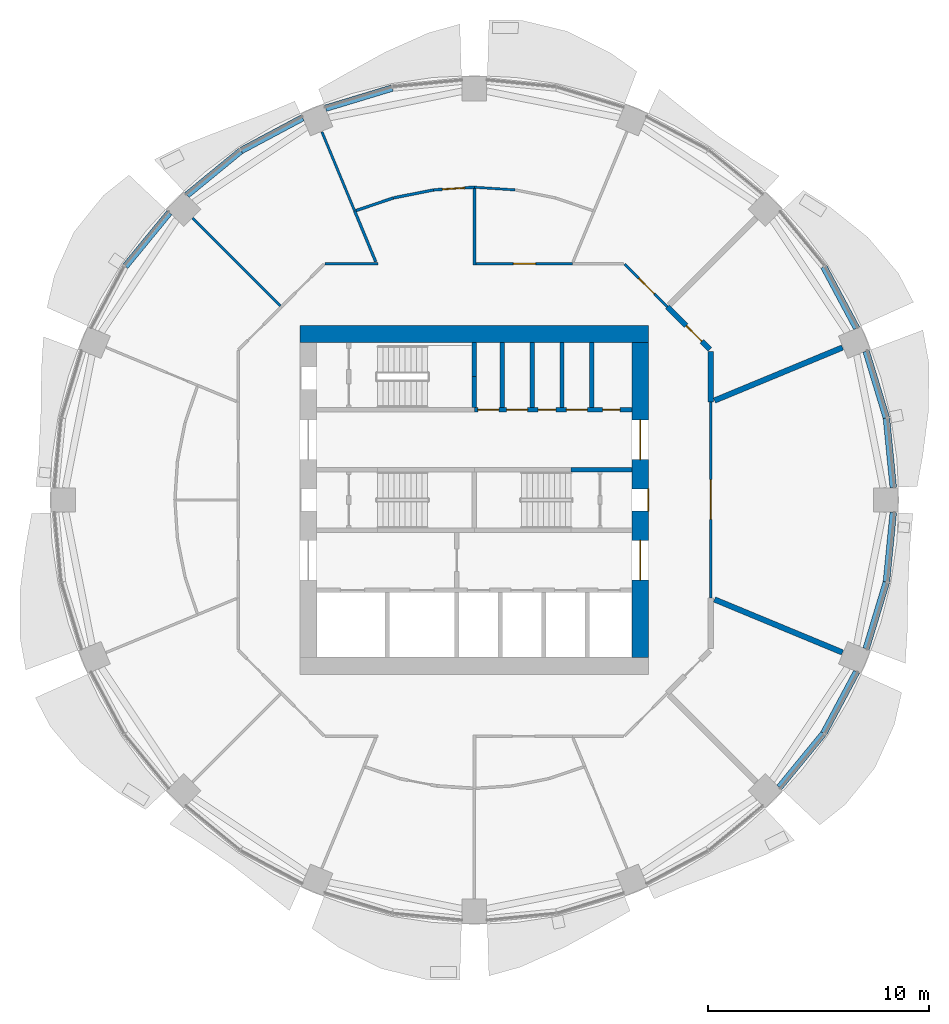
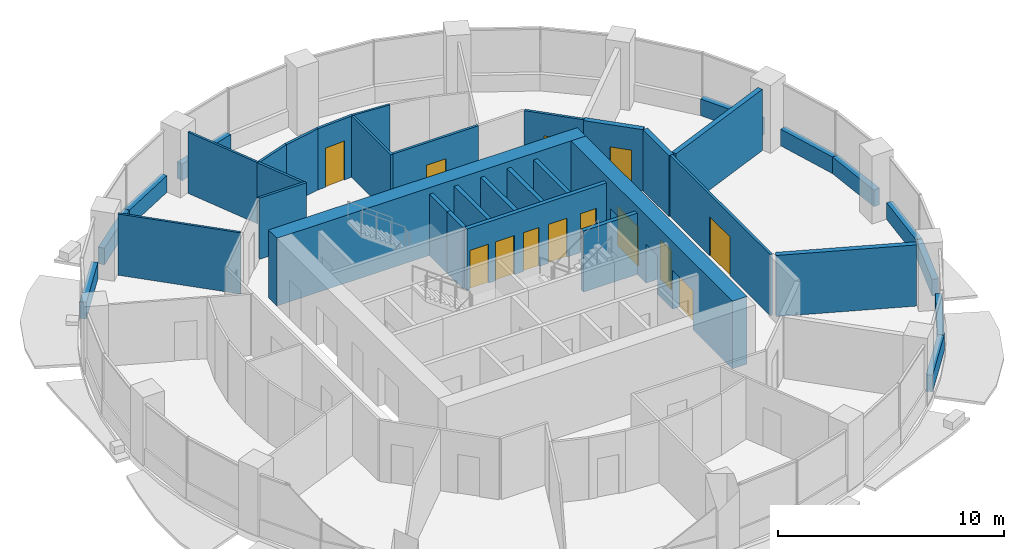
# One storey, part 9 of 14: 37 walls, 13 doors, 13 openings.
"""IFC4 building model written with IfcOpenShell, lengths in metres."""

import ifcopenshell
import ifcopenshell.guid

model = None  # the IFC model being written
_history = None  # IfcOwnerHistory: only IFC2X3 demands one
_inside = {}  # id of a spatial element -> (the spatial element, [elements in it])
_under = {}  # id of a project, library or spatial element -> (it, [spatial elements below it])
_declared = {}  # id of a project -> (the project, [libraries it declares])
_typed = {}  # id of a type object -> (the type object, [elements of that type])
_made_of = {}  # id of a material, layer set ... -> (it, [elements and type objects made of it])


def new_model(schema):
    """Start an empty IFC model of exactly this schema.

    Asked for "IFC4X3", IfcOpenShell would pick the latest addendum, in which some entities
    have other attributes; the version numbers below select the first issue.
    IFC2X3 requires an IfcOwnerHistory on every rooted entity: one is made here for all.
    """
    global model, _history
    if schema == "IFC4X3":
        model = ifcopenshell.file(schema_version=(4, 3, 0, 0))
    else:
        model = ifcopenshell.file(schema=schema)
    _inside.clear()
    _under.clear()
    _declared.clear()
    _typed.clear()
    _made_of.clear()
    _history = None
    if model.schema == "IFC2X3":
        org = make("IfcOrganization", Name="unknown")
        user = make(
            "IfcPersonAndOrganization",
            ThePerson=make("IfcPerson", FamilyName="unknown"),
            TheOrganization=org,
        )
        app = make(
            "IfcApplication",
            ApplicationDeveloper=org,
            Version="unknown",
            ApplicationFullName="unknown",
            ApplicationIdentifier="unknown",
        )
        _history = make(
            "IfcOwnerHistory",
            OwningUser=user,
            OwningApplication=app,
            ChangeAction="ADDED",
            CreationDate=0,
        )
    return model


def make(cls, **values):
    """One entity of the class cls with the attributes given. An attribute that is None is left unset."""
    return model.create_entity(
        cls, **{name: value for name, value in values.items() if value is not None}
    )


def rooted(cls, **values):
    """An entity with a GlobalId (a new one), such as an element, a storey or a relation."""
    return make(cls, GlobalId=ifcopenshell.guid.new(), OwnerHistory=_history, **values)


def si_unit(unit_type, name, prefix=None):
    """IfcSIUnit, for example si_unit("LENGTHUNIT", "METRE", prefix="MILLI")."""
    return make("IfcSIUnit", UnitType=unit_type, Prefix=prefix, Name=name)


def assignment(units):
    """IfcUnitAssignment: the units of a project."""
    return None if units is None else make("IfcUnitAssignment", Units=units)


def point(xyz):
    """IfcCartesianPoint."""
    return None if xyz is None else make("IfcCartesianPoint", Coordinates=xyz)


def direction(xyz):
    """IfcDirection."""
    return None if xyz is None else make("IfcDirection", DirectionRatios=xyz)


def frame(location, z_axis=None, x_axis=None):
    """IfcAxis2Placement3D, a coordinate frame: its origin and axes. An axis left out is left unset."""
    return make(
        "IfcAxis2Placement3D",
        Location=point(location),
        Axis=direction(z_axis),
        RefDirection=direction(x_axis),
    )


def frame_2d(location, x_axis=None):
    """IfcAxis2Placement2D, a coordinate frame in the plane: its origin and x axis."""
    return make(
        "IfcAxis2Placement2D", Location=point(location), RefDirection=direction(x_axis)
    )


def origin():
    """The frame at (0, 0, 0) with its axes left unset."""
    return frame((0.0, 0.0, 0.0))


def place(relative_to, where):
    """IfcLocalPlacement: puts the frame where relative to a parent placement (None: the world)."""
    return make(
        "IfcLocalPlacement", PlacementRelTo=relative_to, RelativePlacement=where
    )


def context(
    kind, dimensions, precision=None, world=None, true_north=None, identifier=None
):
    """IfcGeometricRepresentationContext, for example the 3D "Model" context."""
    return make(
        "IfcGeometricRepresentationContext",
        ContextIdentifier=identifier,
        ContextType=kind,
        CoordinateSpaceDimension=dimensions,
        Precision=precision,
        WorldCoordinateSystem=world,
        TrueNorth=true_north,
    )


def subcontext(parent, identifier, kind, view, scale=None):
    """IfcGeometricRepresentationSubContext, for example "Body" below "Model"."""
    return make(
        "IfcGeometricRepresentationSubContext",
        ContextIdentifier=identifier,
        ContextType=kind,
        ParentContext=parent,
        TargetScale=scale,
        TargetView=view,
    )


def project(units=None, contexts=None):
    """IfcProject with its units and contexts."""
    return rooted(
        "IfcProject",
        Name="project",
        RepresentationContexts=contexts,
        UnitsInContext=assignment(units),
    )


def spatial(cls, under=None, at=None, **own):
    """A site, building, storey or space (cls), placed at a placement, below another one or the project."""
    s = rooted(cls, ObjectPlacement=at, **own)
    if under is not None:
        _under.setdefault(under.id(), (under, []))[1].append(s)
    return s


def profile(cls, at=None, kind="AREA", **sizes):
    """A parametric profile (cls). Its sizes go by their IFC names, for example OverallWidth=200.0."""
    return make(cls, ProfileType=kind, Position=at, **sizes)


def rectangle(**sizes):
    """IfcRectangleProfileDef."""
    return profile("IfcRectangleProfileDef", **sizes)


def extrude(swept, where, along, depth):
    """IfcExtrudedAreaSolid: the profile swept, set in the frame where, extruded along a direction by depth."""
    return make(
        "IfcExtrudedAreaSolid",
        SweptArea=swept,
        Position=where,
        ExtrudedDirection=direction(along),
        Depth=depth,
    )


def shape(context_of_items, identifier, shape_type, items):
    """IfcShapeRepresentation: the items that make up one representation, for example the "Body"."""
    return make(
        "IfcShapeRepresentation",
        ContextOfItems=context_of_items,
        RepresentationIdentifier=identifier,
        RepresentationType=shape_type,
        Items=items,
    )


def material(Name=None, Category=None):
    """IfcMaterial."""
    return make("IfcMaterial", Name=Name, Category=Category)


def layer(
    of_material, thickness, ventilated=None, Name=None, Category=None, Priority=None
):
    """IfcMaterialLayer: one layer of a wall or slab, of a material (None: an air gap)."""
    return make(
        "IfcMaterialLayer",
        Material=of_material,
        LayerThickness=thickness,
        IsVentilated=ventilated,
        Name=Name,
        Category=Category,
        Priority=Priority,
    )


def layer_set(layers, Name=None):
    """IfcMaterialLayerSet."""
    return make("IfcMaterialLayerSet", MaterialLayers=layers, LayerSetName=Name)


def made_of(thing, what):
    """Note that an element or type object is made of a material, layer set ...; save() writes the relation."""
    if what is not None:
        _made_of.setdefault(what.id(), (what, []))[1].append(thing)
    return thing


def type_object(cls, material=None, **own):
    """A type object (cls), such as IfcWallType, which elements share."""
    return made_of(rooted(cls, **own), material)


def element(
    cls,
    number,
    at=None,
    inside=None,
    cuts=None,
    type_object=None,
    material=None,
    context=None,
    identifier="Body",
    shape_type=None,
    held_by="IfcProductDefinitionShape",
    body=None,
    shapes=None,
    **own,
):
    """One element of the class cls, such as IfcWall. Its Tag is "e" and its number.

    at: its placement. inside: the storey or other place that contains it. cuts: it is an
    opening in that element (IfcRelVoidsElement). A single representation is given by context,
    identifier, shape_type and body (its items); several are given by shapes. held_by: the class
    of the entity that holds the representations. save() writes the other relations.
    """
    e = rooted(cls, Tag="e%d" % number, ObjectPlacement=at, **own)
    if body is not None:
        shapes = [shape(context, identifier, shape_type, body)]
    if shapes is not None:
        e.Representation = make(held_by, Representations=shapes)
    if inside is not None:
        _inside.setdefault(inside.id(), (inside, []))[1].append(e)
    if cuts is not None:
        rooted(
            "IfcRelVoidsElement", RelatingBuildingElement=cuts, RelatedOpeningElement=e
        )
    if type_object is not None:
        _typed.setdefault(type_object.id(), (type_object, []))[1].append(e)
    return made_of(e, material)


def fill(opening, filler):
    """IfcRelFillsElement: the door or window that sits in an opening."""
    return rooted(
        "IfcRelFillsElement",
        RelatingOpeningElement=opening,
        RelatedBuildingElement=filler,
    )


def aggregate(whole, parts):
    """IfcRelAggregates: a whole, such as a stair, and the parts it consists of."""
    return rooted("IfcRelAggregates", RelatingObject=whole, RelatedObjects=parts)


def save(model, path):
    """Write the relations noted so far, then the file.

    IfcRelAggregates (storeys below a building ...), IfcRelContainedInSpatialStructure (elements
    in a storey), IfcRelDefinesByType, IfcRelAssociatesMaterial and IfcRelDeclares: one each for
    every whole, place, type object, material and project.
    """
    for whole, parts in _under.values():
        aggregate(whole, parts)
    for where, things in _inside.values():
        rooted(
            "IfcRelContainedInSpatialStructure",
            RelatedElements=things,
            RelatingStructure=where,
        )
    for kind, things in _typed.values():
        rooted("IfcRelDefinesByType", RelatedObjects=things, RelatingType=kind)
    for what, things in _made_of.values():
        rooted("IfcRelAssociatesMaterial", RelatedObjects=things, RelatingMaterial=what)
    for by, libraries in _declared.values():
        rooted("IfcRelDeclares", RelatingContext=by, RelatedDefinitions=libraries)
    model.write(path)


model = new_model("IFC4")

# Units and contexts
model_context = context("Model", 3, precision=1e-05, world=origin(), true_north=direction((0.0, 1.0)))
body_context = subcontext(model_context, "Body", "Model", "MODEL_VIEW")
ifc_project = project(units=[si_unit("LENGTHUNIT", "METRE"), si_unit("AREAUNIT", "SQUARE_METRE"), si_unit("VOLUMEUNIT", "CUBIC_METRE"), si_unit("PLANEANGLEUNIT", "RADIAN"), si_unit("MASSUNIT", "GRAM", prefix="KILO")], contexts=[model_context])

# Site, building, storey
site_placement = place(None, origin())
site = spatial("IfcSite", under=ifc_project, at=site_placement, CompositionType="ELEMENT")
building_placement = place(site_placement, origin())
building = spatial("IfcBuilding", under=site, at=building_placement, Name="Polderwave Tower", CompositionType="ELEMENT")
storey_placement = place(building_placement, frame((0.0, 0.0, 105.60009765625)))
storey = spatial("IfcBuildingStorey", under=building, at=storey_placement, Name="L27", CompositionType="ELEMENT", Elevation=105.60009765625)

# Wall
ifc_material_1 = material(Name="Concrete C70/85", Category="concrete")
ifc_layer_1 = layer(ifc_material_1, 0.75)
ifc_layer_set_1 = layer_set([ifc_layer_1], Name="CORE WALL 750 C70/85")
wall_type_1 = type_object("IfcWallType", Name="CORE WALL 750 C70/85", PredefinedType="SHEAR", material=ifc_layer_set_1)
wall_1_placement = place(storey_placement, frame((-7.8740234375, 7.4990234375, 0.0), z_axis=(0.0, 0.0, 1.0), x_axis=(1.0, 0.0, 0.0)))
element("IfcWall", 1, at=wall_1_placement, inside=storey, type_object=wall_type_1, Name="ST-CORE-L27-N", PredefinedType="SHEAR", context=body_context, shape_type="SweptSolid", body=[
    extrude(rectangle(XDim=15.748046875, YDim=0.75, at=frame_2d((7.8740234375, 0.0))), origin(), (0.0, 0.0, 1.0), 3.64990234375),
])

# Wall, openings, doors
wall_2_placement = place(storey_placement, frame((7.4990234375, -7.1240234375, 0.0), z_axis=(0.0, 0.0, 1.0), x_axis=(0.0, 1.0, 0.0)))
wall_2 = element("IfcWall", 2, at=wall_2_placement, inside=storey, type_object=wall_type_1, Name="ST-CORE-L27-E", PredefinedType="SHEAR", context=body_context, shape_type="SweptSolid", body=[
    extrude(rectangle(XDim=14.248046875, YDim=0.75, at=frame_2d((7.1240234375, 0.0))), origin(), (0.0, 0.0, 1.0), 3.64990234375),
])
opening_1_placement = place(wall_2_placement, frame((6.6240234375, 0.0, 0.0)))
opening_1 = element("IfcOpeningElement", 3, at=opening_1_placement, cuts=wall_2, Name="Opening L27-D23", PredefinedType="OPENING", context=body_context, shape_type="SweptSolid", body=[
    extrude(rectangle(XDim=1.0, YDim=2.10009765625, at=frame_2d((0.5, 1.050048828125))), frame((0.0, 0.385009765625, 0.0), z_axis=(0.0, -1.0, 0.0), x_axis=(1.0, 0.0, 0.0)), (0.0, 0.0, 1.0), 0.77001953125),
])
opening_2_placement = place(wall_2_placement, frame((3.49951171875, 0.0, 0.0)))
opening_2 = element("IfcOpeningElement", 4, at=opening_2_placement, cuts=wall_2, Name="Opening L27-D24", PredefinedType="OPENING", context=body_context, shape_type="SweptSolid", body=[
    extrude(rectangle(XDim=1.800048828125, YDim=2.10009765625, at=frame_2d((0.89990234375, 1.050048828125))), frame((0.0, 0.385009765625, 0.0), z_axis=(0.0, -1.0, 0.0), x_axis=(1.0, 0.0, 0.0)), (0.0, 0.0, 1.0), 0.77001953125),
])
opening_3_placement = place(wall_2_placement, frame((8.948486328125, 0.0, 0.0)))
opening_3 = element("IfcOpeningElement", 5, at=opening_3_placement, cuts=wall_2, Name="Opening L27-D25", PredefinedType="OPENING", context=body_context, shape_type="SweptSolid", body=[
    extrude(rectangle(XDim=1.800048828125, YDim=2.10009765625, at=frame_2d((0.89990234375, 1.050048828125))), frame((0.0, 0.385009765625, 0.0), z_axis=(0.0, -1.0, 0.0), x_axis=(1.0, 0.0, 0.0)), (0.0, 0.0, 1.0), 0.77001953125),
])
ifc_material_2 = material(Name="Steel fire door", Category="steel")
door_type_1 = type_object("IfcDoorType", Name="Lobby entry door pair 1800", OperationType="DOUBLE_DOOR_SINGLE_SWING", PredefinedType="DOOR", material=ifc_material_2)
door_1_placement = place(opening_2_placement, frame((1.800048828125, 0.0, 0.0), z_axis=(0.0, 0.0, 1.0), x_axis=(-1.0, 0.0, 0.0)))
door_1 = element("IfcDoor", 6, at=door_1_placement, inside=storey, type_object=door_type_1, Name="South lobby entry door", OperationType="DOUBLE_DOOR_SINGLE_SWING", OverallHeight=2.10009765625, OverallWidth=1.800048828125, PredefinedType="DOOR", context=body_context, shape_type="SweptSolid", body=[
    extrude(rectangle(XDim=1.800048828125, YDim=2.10009765625, at=frame_2d((0.89990234375, 1.050048828125))), frame((0.0, 0.02490234375, 0.0), z_axis=(0.0, -1.0, 0.0), x_axis=(1.0, 0.0, 0.0)), (0.0, 0.0, 1.0), 0.050048828125),
])
fill(opening_2, door_1)
door_2_placement = place(opening_3_placement, frame((1.800048828125, 0.0, 0.0), z_axis=(0.0, 0.0, 1.0), x_axis=(-1.0, 0.0, 0.0)))
door_2 = element("IfcDoor", 7, at=door_2_placement, inside=storey, type_object=door_type_1, Name="North lobby entry door", OperationType="DOUBLE_DOOR_SINGLE_SWING", OverallHeight=2.10009765625, OverallWidth=1.800048828125, PredefinedType="DOOR", context=body_context, shape_type="SweptSolid", body=[
    extrude(rectangle(XDim=1.800048828125, YDim=2.10009765625, at=frame_2d((0.89990234375, 1.050048828125))), frame((0.0, 0.02490234375, 0.0), z_axis=(0.0, -1.0, 0.0), x_axis=(1.0, 0.0, 0.0)), (0.0, 0.0, 1.0), 0.050048828125),
])
fill(opening_3, door_2)
door_type_2 = type_object("IfcDoorType", Name="Stair door 1000", OperationType="NOTDEFINED", PredefinedType="DOOR", material=ifc_material_2)
door_3_placement = place(opening_1_placement, frame((1.0, 0.0, 0.0), z_axis=(0.0, 0.0, 1.0), x_axis=(-1.0, 0.0, 0.0)))
door_3 = element("IfcDoor", 8, at=door_3_placement, inside=storey, type_object=door_type_2, Name="Stair B entry door", OperationType="SINGLE_SWING_LEFT", OverallHeight=2.10009765625, OverallWidth=1.0, PredefinedType="DOOR", context=body_context, shape_type="SweptSolid", body=[
    extrude(rectangle(XDim=1.0, YDim=2.10009765625, at=frame_2d((0.5, 1.050048828125))), frame((0.0, 0.375, 0.0), z_axis=(0.0, -1.0, 0.0), x_axis=(1.0, 0.0, 0.0)), (0.0, 0.0, 1.0), 0.050048828125),
])
fill(opening_1, door_3)

# Walls
ifc_material_3 = material(Name="Concrete C50/60 (board-marked)", Category="concrete")
ifc_layer_2 = layer(ifc_material_3, 0.300048828125)
ifc_layer_set_2 = layer_set([ifc_layer_2], Name="Concrete spandrel upstand C50/60")
wall_type_2 = type_object("IfcWallType", Name="Concrete spandrel upstand C50/60", PredefinedType="SOLIDWALL", material=ifc_layer_set_2)
wall_3_placement = place(storey_placement, frame((18.924560546875, 0.56396484375, 0.0), z_axis=(0.0, 0.0, 1.0), x_axis=(-0.098148390136, 0.995171790956, 0.0)))
element("IfcWall", 9, at=wall_3_placement, inside=storey, type_object=wall_type_2, Name="Spandrel L27 1a", PredefinedType="SOLIDWALL", context=body_context, shape_type="SweptSolid", body=[
    extrude(rectangle(XDim=3.13916015625, YDim=0.300048828125, at=frame_2d((1.569580078125, 0.0))), origin(), (0.0, 0.0, 1.0), 0.89990234375),
])
wall_4_placement = place(storey_placement, frame((18.610595703125, 3.71728515625, 0.0), z_axis=(0.0, 0.0, 1.0), x_axis=(-0.290214584271, 0.956961595403, 0.0)))
element("IfcWall", 10, at=wall_4_placement, inside=storey, type_object=wall_type_2, Name="Spandrel L27 1b", PredefinedType="SOLIDWALL", context=body_context, shape_type="SweptSolid", body=[
    extrude(rectangle(XDim=3.139404296875, YDim=0.300048828125, at=frame_2d((1.56982421875, 0.0))), origin(), (0.0, 0.0, 1.0), 0.89990234375),
])
wall_5_placement = place(storey_placement, frame((17.267822265625, 7.76318359375, 0.0), z_axis=(0.0, 0.0, 1.0), x_axis=(-0.471375185282, 0.88193278355, 0.0)))
element("IfcWall", 11, at=wall_5_placement, inside=storey, type_object=wall_type_2, Name="Spandrel L27 2a", PredefinedType="SOLIDWALL", context=body_context, shape_type="SweptSolid", body=[
    extrude(rectangle(XDim=3.13916015625, YDim=0.300048828125, at=frame_2d((1.569580078125, 0.0))), origin(), (0.0, 0.0, 1.0), 0.89990234375),
])
wall_6_placement = place(storey_placement, frame((-3.71728515625, 18.610595703125, 0.0), z_axis=(0.0, 0.0, 1.0), x_axis=(-0.956961595403, -0.290214584271, 0.0)))
element("IfcWall", 12, at=wall_6_placement, inside=storey, type_object=wall_type_2, Name="Spandrel L27 5b", PredefinedType="SOLIDWALL", context=body_context, shape_type="SweptSolid", body=[
    extrude(rectangle(XDim=3.139404296875, YDim=0.300048828125, at=frame_2d((1.56982421875, 0.0))), origin(), (0.0, 0.0, 1.0), 0.89990234375),
])
wall_7_placement = place(storey_placement, frame((-7.76318359375, 17.267822265625, 0.0), z_axis=(0.0, 0.0, 1.0), x_axis=(-0.88193278355, -0.471375185282, 0.0)))
element("IfcWall", 13, at=wall_7_placement, inside=storey, type_object=wall_type_2, Name="Spandrel L27 6a", PredefinedType="SOLIDWALL", context=body_context, shape_type="SweptSolid", body=[
    extrude(rectangle(XDim=3.13916015625, YDim=0.300048828125, at=frame_2d((1.569580078125, 0.0))), origin(), (0.0, 0.0, 1.0), 0.89990234375),
])
for number, where, z_axis, x_axis, name in (
    (14, (-10.556640625, 15.771484375, 0.0), (0.0, 0.0, 1.0), (-0.773107597536, -0.634274895162, 0.0), "Spandrel L27 6b"),
    (15, (-13.780517578125, 12.9833984375, 0.0), (0.0, 0.0, 1.0), (-0.634274895162, -0.773107597536, 0.0), "Spandrel L27 7a"),
    (16, (13.780517578125, -12.9833984375, 0.0), (0.0, 0.0, 1.0), (0.634274895162, 0.773107597536, 0.0), "Spandrel L27 15a"),
):
    element("IfcWall", number, at=place(storey_placement, frame(where, z_axis=z_axis, x_axis=x_axis)), inside=storey, type_object=wall_type_2, Name=name, PredefinedType="SOLIDWALL", context=body_context, shape_type="SweptSolid", body=[
        extrude(rectangle(XDim=3.138916015625, YDim=0.300048828125, at=frame_2d((1.5693359375, 0.0))), origin(), (0.0, 0.0, 1.0), 0.89990234375),
    ])
wall_8_placement = place(storey_placement, frame((15.7880859375, -10.53173828125, 0.0), z_axis=(0.0, 0.0, 1.0), x_axis=(0.471375185282, 0.88193278355, 0.0)))
element("IfcWall", 17, at=wall_8_placement, inside=storey, type_object=wall_type_2, Name="Spandrel L27 15b", PredefinedType="SOLIDWALL", context=body_context, shape_type="SweptSolid", body=[
    extrude(rectangle(XDim=3.13916015625, YDim=0.300048828125, at=frame_2d((1.569580078125, 0.0))), origin(), (0.0, 0.0, 1.0), 0.89990234375),
])
wall_9_placement = place(storey_placement, frame((17.699462890625, -6.7216796875, 0.0), z_axis=(0.0, 0.0, 1.0), x_axis=(0.290214584271, 0.956961595403, 0.0)))
element("IfcWall", 18, at=wall_9_placement, inside=storey, type_object=wall_type_2, Name="Spandrel L27 16a", PredefinedType="SOLIDWALL", context=body_context, shape_type="SweptSolid", body=[
    extrude(rectangle(XDim=3.139404296875, YDim=0.300048828125, at=frame_2d((1.56982421875, 0.0))), origin(), (0.0, 0.0, 1.0), 0.89990234375),
])
wall_10_placement = place(storey_placement, frame((18.616455078125, -3.68798828125, 0.0), z_axis=(0.0, 0.0, 1.0), x_axis=(0.098148390136, 0.995171790956, 0.0)))
element("IfcWall", 19, at=wall_10_placement, inside=storey, type_object=wall_type_2, Name="Spandrel L27 16b", PredefinedType="SOLIDWALL", context=body_context, shape_type="SweptSolid", body=[
    extrude(rectangle(XDim=3.13916015625, YDim=0.300048828125, at=frame_2d((1.569580078125, 0.0))), origin(), (0.0, 0.0, 1.0), 0.89990234375),
])
ifc_material_4 = material(Name="Gypsum board partition")
ifc_layer_3 = layer(ifc_material_4, 0.199951171875)
ifc_layer_set_3 = layer_set([ifc_layer_3], Name="Core room partition 200")
wall_type_3 = type_object("IfcWallType", Name="Core room partition 200", PredefinedType="PARTITIONING", material=ifc_layer_set_3)
for number, where, z_axis, x_axis, name in (
    (20, (1.260009765625, 4.174072265625, 0.0), (0.0, 0.0, 1.0), (0.0, 1.0, 0.0), "L27 room partition N1"),
    (21, (2.608642578125, 4.174072265625, 0.0), (0.0, 0.0, 1.0), (0.0, 1.0, 0.0), "L27 room partition N2"),
    (22, (3.95703125, 4.174072265625, 0.0), (0.0, 0.0, 1.0), (0.0, 1.0, 0.0), "L27 room partition N3"),
):
    element("IfcWall", number, at=place(storey_placement, frame(where, z_axis=z_axis, x_axis=x_axis)), inside=storey, type_object=wall_type_3, Name=name, PredefinedType="PARTITIONING", context=body_context, shape_type="SweptSolid", body=[
        extrude(rectangle(XDim=2.949951171875, YDim=0.199951171875, at=frame_2d((1.47509765625, 0.0))), origin(), (0.0, 0.0, 1.0), 3.2998046875),
    ])

# Wall, openings, doors
ifc_material_5 = material(Name="Concrete C50/60", Category="concrete")
ifc_layer_4 = layer(ifc_material_5, 0.199951171875)
ifc_layer_set_4 = layer_set([ifc_layer_4], Name="Core web wall 200")
wall_type_4 = type_object("IfcWallType", Name="Core web wall 200", PredefinedType="SHEAR", material=ifc_layer_set_4)
wall_11_placement = place(storey_placement, frame((0.0, 4.073974609375, 0.0), z_axis=(0.0, 0.0, 1.0), x_axis=(1.0, 0.0, 0.0)))
wall_11 = element("IfcWall", 23, at=wall_11_placement, inside=storey, type_object=wall_type_4, Name="L27 north front wall 2", PredefinedType="SHEAR", context=body_context, shape_type="SweptSolid", body=[
    extrude(rectangle(XDim=7.1240234375, YDim=0.199951171875, at=frame_2d((3.56201171875, 0.0))), origin(), (0.0, 0.0, 1.0), 3.2998046875),
])
opening_4_placement = place(wall_11_placement, frame((0.155029296875, 0.0, 0.0)))
opening_4 = element("IfcOpeningElement", 24, at=opening_4_placement, cuts=wall_11, Name="Opening L27-D14", PredefinedType="OPENING", context=body_context, shape_type="SweptSolid", body=[
    extrude(rectangle(XDim=0.949951171875, YDim=2.10009765625, at=frame_2d((0.47509765625, 1.050048828125))), frame((0.0, 0.10986328125, 0.0), z_axis=(0.0, -1.0, 0.0), x_axis=(1.0, 0.0, 0.0)), (0.0, 0.0, 1.0), 0.219970703125),
])
opening_5_placement = place(wall_11_placement, frame((1.459228515625, 0.0, 0.0)))
opening_5 = element("IfcOpeningElement", 25, at=opening_5_placement, cuts=wall_11, Name="Opening L27-D15", PredefinedType="OPENING", context=body_context, shape_type="SweptSolid", body=[
    extrude(rectangle(XDim=0.949951171875, YDim=2.10009765625, at=frame_2d((0.47509765625, 1.050048828125))), frame((0.0, 0.10986328125, 0.0), z_axis=(0.0, -1.0, 0.0), x_axis=(1.0, 0.0, 0.0)), (0.0, 0.0, 1.0), 0.219970703125),
])
opening_6_placement = place(wall_11_placement, frame((2.8828125, 0.0, 0.0)))
opening_6 = element("IfcOpeningElement", 26, at=opening_6_placement, cuts=wall_11, Name="Opening L27-D16", PredefinedType="OPENING", context=body_context, shape_type="SweptSolid", body=[
    extrude(rectangle(XDim=0.800048828125, YDim=2.10009765625, at=frame_2d((0.39990234375, 1.050048828125))), frame((0.0, 0.10986328125, 0.0), z_axis=(0.0, -1.0, 0.0), x_axis=(1.0, 0.0, 0.0)), (0.0, 0.0, 1.0), 0.219970703125),
])
opening_7_placement = place(wall_11_placement, frame((4.15625, 0.0, 0.0)))
opening_7 = element("IfcOpeningElement", 27, at=opening_7_placement, cuts=wall_11, Name="Opening L27-D17", PredefinedType="OPENING", context=body_context, shape_type="SweptSolid", body=[
    extrude(rectangle(XDim=0.949951171875, YDim=2.10009765625, at=frame_2d((0.47509765625, 1.050048828125))), frame((0.0, 0.10986328125, 0.0), z_axis=(0.0, -1.0, 0.0), x_axis=(1.0, 0.0, 0.0)), (0.0, 0.0, 1.0), 0.219970703125),
])
opening_8_placement = place(wall_11_placement, frame((5.789794921875, 0.0, 0.0)))
opening_8 = element("IfcOpeningElement", 28, at=opening_8_placement, cuts=wall_11, Name="Opening L27-D18", PredefinedType="OPENING", context=body_context, shape_type="SweptSolid", body=[
    extrude(rectangle(XDim=0.800048828125, YDim=2.10009765625, at=frame_2d((0.39990234375, 1.050048828125))), frame((0.0, 0.10986328125, 0.0), z_axis=(0.0, -1.0, 0.0), x_axis=(1.0, 0.0, 0.0)), (0.0, 0.0, 1.0), 0.219970703125),
])
door_type_3 = type_object("IfcDoorType", Name="Riser door 800", OperationType="NOTDEFINED", PredefinedType="DOOR", material=ifc_material_2)
door_4_placement = place(opening_6_placement, frame((0.800048828125, 0.0, 0.0), z_axis=(0.0, 0.0, 1.0), x_axis=(-1.0, 0.0, 0.0)))
door_4 = element("IfcDoor", 29, at=door_4_placement, inside=storey, type_object=door_type_3, Name="Electrical room door", OperationType="SINGLE_SWING_RIGHT", OverallHeight=2.10009765625, OverallWidth=0.800048828125, PredefinedType="DOOR", context=body_context, shape_type="SweptSolid", body=[
    extrude(rectangle(XDim=0.800048828125, YDim=2.10009765625, at=frame_2d((0.39990234375, 1.050048828125))), frame((0.0, 0.02490234375, 0.0), z_axis=(0.0, -1.0, 0.0), x_axis=(1.0, 0.0, 0.0)), (0.0, 0.0, 1.0), 0.050048828125),
])
fill(opening_6, door_4)
door_5_placement = place(opening_8_placement, frame((0.800048828125, 0.0, 0.0), z_axis=(0.0, 0.0, 1.0), x_axis=(-1.0, 0.0, 0.0)))
door_5 = element("IfcDoor", 30, at=door_5_placement, inside=storey, type_object=door_type_3, Name="Riser door", OperationType="SINGLE_SWING_LEFT", OverallHeight=2.10009765625, OverallWidth=0.800048828125, PredefinedType="DOOR", context=body_context, shape_type="SweptSolid", body=[
    extrude(rectangle(XDim=0.800048828125, YDim=2.10009765625, at=frame_2d((0.39990234375, 1.050048828125))), frame((0.0, 0.02490234375, 0.0), z_axis=(0.0, -1.0, 0.0), x_axis=(1.0, 0.0, 0.0)), (0.0, 0.0, 1.0), 0.050048828125),
])
fill(opening_8, door_5)
ifc_material_6 = material(Name="Timber door leaf", Category="wood")
door_type_4 = type_object("IfcDoorType", Name="Room door 950", OperationType="NOTDEFINED", PredefinedType="DOOR", material=ifc_material_6)
door_6_placement = place(opening_4_placement, origin())
door_6 = element("IfcDoor", 31, at=door_6_placement, inside=storey, type_object=door_type_4, Name="Staff WC door", OperationType="SINGLE_SWING_LEFT", OverallHeight=2.10009765625, OverallWidth=0.949951171875, PredefinedType="DOOR", context=body_context, shape_type="SweptSolid", body=[
    extrude(rectangle(XDim=0.949951171875, YDim=2.10009765625, at=frame_2d((0.47509765625, 1.050048828125))), frame((0.0, 0.02490234375, 0.0), z_axis=(0.0, -1.0, 0.0), x_axis=(1.0, 0.0, 0.0)), (0.0, 0.0, 1.0), 0.050048828125),
])
fill(opening_4, door_6)
door_7_placement = place(opening_5_placement, origin())
door_7 = element("IfcDoor", 32, at=door_7_placement, inside=storey, type_object=door_type_4, Name="Refuse store door", OperationType="SINGLE_SWING_LEFT", OverallHeight=2.10009765625, OverallWidth=0.949951171875, PredefinedType="DOOR", context=body_context, shape_type="SweptSolid", body=[
    extrude(rectangle(XDim=0.949951171875, YDim=2.10009765625, at=frame_2d((0.47509765625, 1.050048828125))), frame((0.0, 0.02490234375, 0.0), z_axis=(0.0, -1.0, 0.0), x_axis=(1.0, 0.0, 0.0)), (0.0, 0.0, 1.0), 0.050048828125),
])
fill(opening_5, door_7)
door_8_placement = place(opening_7_placement, origin())
door_8 = element("IfcDoor", 33, at=door_8_placement, inside=storey, type_object=door_type_4, Name="Seed store door", OperationType="SINGLE_SWING_RIGHT", OverallHeight=2.10009765625, OverallWidth=0.949951171875, PredefinedType="DOOR", context=body_context, shape_type="SweptSolid", body=[
    extrude(rectangle(XDim=0.949951171875, YDim=2.10009765625, at=frame_2d((0.47509765625, 1.050048828125))), frame((0.0, 0.02490234375, 0.0), z_axis=(0.0, -1.0, 0.0), x_axis=(1.0, 0.0, 0.0)), (0.0, 0.0, 1.0), 0.050048828125),
])
fill(opening_7, door_8)

# Walls
wall_12_placement = place(storey_placement, frame((4.3740234375, 1.375, 0.0), z_axis=(0.0, 0.0, 1.0), x_axis=(1.0, 0.0, 0.0)))
element("IfcWall", 34, at=wall_12_placement, inside=storey, type_object=wall_type_4, Name="L27 north stair wall 4", PredefinedType="SHEAR", context=body_context, shape_type="SweptSolid", body=[
    extrude(rectangle(XDim=2.75, YDim=0.199951171875, at=frame_2d((1.375, 0.0))), origin(), (0.0, 0.0, 1.0), 3.2998046875),
])
wall_13_placement = place(storey_placement, frame((0.0, 4.174072265625, 0.0), z_axis=(0.0, 0.0, 1.0), x_axis=(0.0, 1.0, 0.0)))
element("IfcWall", 35, at=wall_13_placement, inside=storey, type_object=wall_type_4, Name="L27 stair C wall south", PredefinedType="SHEAR", context=body_context, shape_type="SweptSolid", body=[
    extrude(rectangle(XDim=1.39990234375, YDim=0.199951171875, at=frame_2d((0.699951171875, 0.0))), origin(), (0.0, 0.0, 1.0), 3.2998046875),
])
wall_14_placement = place(storey_placement, frame((0.0, 5.573974609375, 0.0), z_axis=(0.0, 0.0, 1.0), x_axis=(0.0, 1.0, 0.0)))
element("IfcWall", 36, at=wall_14_placement, inside=storey, type_object=wall_type_4, Name="L27 stair C wall north", PredefinedType="SHEAR", context=body_context, shape_type="SweptSolid", body=[
    extrude(rectangle(XDim=1.550048828125, YDim=0.199951171875, at=frame_2d((0.77490234375, 0.0))), origin(), (0.0, 0.0, 1.0), 3.2998046875),
])

# Wall, opening, door
ifc_material_7 = material(Name="Fire-resisting board on steel studs", Category="steel")
ifc_layer_5 = layer(ifc_material_7, 0.125)
ifc_layer_set_5 = layer_set([ifc_layer_5], Name="Corridor wall 125 mm EI 60")
wall_type_5 = type_object("IfcWallType", Name="Corridor wall 125 mm EI 60", PredefinedType="PARTITIONING", material=ifc_layer_set_5)
wall_15_placement = place(storey_placement, frame((10.674072265625, 4.42138671875, 0.0), z_axis=(0.0, 0.0, 1.0), x_axis=(0.0, -1.0, 0.0)))
wall_15 = element("IfcWall", 37, at=wall_15_placement, inside=storey, type_object=wall_type_5, Name="IN-L27-W001", PredefinedType="PARTITIONING", context=body_context, shape_type="SweptSolid", body=[
    extrude(rectangle(XDim=8.8427734375, YDim=0.125, at=frame_2d((4.42138671875, 0.0))), origin(), (0.0, 0.0, 1.0), 3.2998046875),
])
opening_9_placement = place(wall_15_placement, frame((3.5, 0.0, 0.0)))
opening_9 = element("IfcOpeningElement", 38, at=opening_9_placement, cuts=wall_15, Name="Opening L27-D50", PredefinedType="OPENING", context=body_context, shape_type="SweptSolid", body=[
    extrude(rectangle(XDim=1.800048828125, YDim=2.10009765625, at=frame_2d((0.89990234375, 1.050048828125))), frame((0.0, 0.072509765625, 0.0), z_axis=(0.0, -1.0, 0.0), x_axis=(1.0, 0.0, 0.0)), (0.0, 0.0, 1.0), 0.14501953125),
])
ifc_material_8 = material(Name="Timber fire door leaves", Category="wood")
door_type_5 = type_object("IfcDoorType", Name="Double fire door FD30S 1800 x 2100", OperationType="NOTDEFINED", PredefinedType="DOOR", material=ifc_material_8)
door_9_placement = place(opening_9_placement, origin())
door_9 = element("IfcDoor", 39, at=door_9_placement, inside=storey, type_object=door_type_5, Name="Door L27-D50", OperationType="DOUBLE_DOOR_SINGLE_SWING", OverallHeight=2.10009765625, OverallWidth=1.800048828125, PredefinedType="DOOR", context=body_context, shape_type="SweptSolid", body=[
    extrude(rectangle(XDim=1.800048828125, YDim=2.10009765625, at=frame_2d((0.89990234375, 1.050048828125))), frame((0.0, 0.02490234375, 0.0), z_axis=(0.0, -1.0, 0.0), x_axis=(1.0, 0.0, 0.0)), (0.0, 0.0, 1.0), 0.050048828125),
])
fill(opening_9, door_9)

wall_16_placement = place(storey_placement, frame((6.789306640625, 10.65576171875, 0.0), z_axis=(0.0, 0.0, 1.0), x_axis=(0.707062130741, -0.707151428813, 0.0)))
wall_16 = element("IfcWall", 40, at=wall_16_placement, inside=storey, type_object=wall_type_5, Name="IN-L27-W007", PredefinedType="PARTITIONING", context=body_context, shape_type="SweptSolid", body=[
    extrude(rectangle(XDim=2.73388671875, YDim=0.125, at=frame_2d((1.366943359375, 0.0))), origin(), (0.0, 0.0, 1.0), 3.2998046875),
])
opening_10_placement = place(wall_16_placement, frame((0.89990234375, 0.0, 0.0)))
opening_10 = element("IfcOpeningElement", 41, at=opening_10_placement, cuts=wall_16, Name="Opening L27-D53", PredefinedType="OPENING", context=body_context, shape_type="SweptSolid", body=[
    extrude(rectangle(XDim=1.0, YDim=2.10009765625, at=frame_2d((0.5, 1.050048828125))), frame((0.0, 0.072509765625, 0.0), z_axis=(0.0, -1.0, 0.0), x_axis=(1.0, 0.0, 0.0)), (0.0, 0.0, 1.0), 0.14501953125),
])
ifc_material_9 = material(Name="Timber fire door leaf", Category="wood")
door_type_6 = type_object("IfcDoorType", Name="Fire door FD30S 1000 x 2100", OperationType="NOTDEFINED", PredefinedType="DOOR", material=ifc_material_9)
door_10_placement = place(opening_10_placement, origin())
door_10 = element("IfcDoor", 42, at=door_10_placement, inside=storey, type_object=door_type_6, Name="Door L27-D53", OperationType="SINGLE_SWING_RIGHT", OverallHeight=2.10009765625, OverallWidth=1.0, PredefinedType="DOOR", context=body_context, shape_type="SweptSolid", body=[
    extrude(rectangle(XDim=1.0, YDim=2.10009765625, at=frame_2d((0.5, 1.050048828125))), frame((0.0, 0.02490234375, 0.0), z_axis=(0.0, -1.0, 0.0), x_axis=(1.0, 0.0, 0.0)), (0.0, 0.0, 1.0), 0.050048828125),
])
fill(opening_10, door_10)

wall_17_placement = place(storey_placement, frame((0.0625, 10.674072265625, 0.0), z_axis=(0.0, 0.0, 1.0), x_axis=(1.0, 0.0, 0.0)))
wall_17 = element("IfcWall", 43, at=wall_17_placement, inside=storey, type_object=wall_type_5, Name="IN-L27-W008", PredefinedType="PARTITIONING", context=body_context, shape_type="SweptSolid", body=[
    extrude(rectangle(XDim=4.35888671875, YDim=0.125, at=frame_2d((2.179443359375, 0.0))), origin(), (0.0, 0.0, 1.0), 3.2998046875),
])
opening_11_placement = place(wall_17_placement, frame((1.699951171875, 0.0, 0.0)))
opening_11 = element("IfcOpeningElement", 44, at=opening_11_placement, cuts=wall_17, Name="Opening L27-D54", PredefinedType="OPENING", context=body_context, shape_type="SweptSolid", body=[
    extrude(rectangle(XDim=1.0, YDim=2.10009765625, at=frame_2d((0.5, 1.050048828125))), frame((0.0, 0.072509765625, 0.0), z_axis=(0.0, -1.0, 0.0), x_axis=(1.0, 0.0, 0.0)), (0.0, 0.0, 1.0), 0.14501953125),
])
door_11_placement = place(opening_11_placement, origin())
door_11 = element("IfcDoor", 45, at=door_11_placement, inside=storey, type_object=door_type_6, Name="Door L27-D54", OperationType="SINGLE_SWING_RIGHT", OverallHeight=2.10009765625, OverallWidth=1.0, PredefinedType="DOOR", context=body_context, shape_type="SweptSolid", body=[
    extrude(rectangle(XDim=1.0, YDim=2.10009765625, at=frame_2d((0.5, 1.050048828125))), frame((0.0, 0.02490234375, 0.0), z_axis=(0.0, -1.0, 0.0), x_axis=(1.0, 0.0, 0.0)), (0.0, 0.0, 1.0), 0.050048828125),
])
fill(opening_11, door_11)

# Walls
wall_18_placement = place(storey_placement, frame((-6.7451171875, 10.674072265625, 0.0), z_axis=(0.0, 0.0, 1.0), x_axis=(1.0, 0.0, 0.0)))
element("IfcWall", 46, at=wall_18_placement, inside=storey, type_object=wall_type_5, Name="IN-L27-W010", PredefinedType="PARTITIONING", context=body_context, shape_type="SweptSolid", body=[
    extrude(rectangle(XDim=2.38623046875, YDim=0.125, at=frame_2d((1.193115234375, 0.0))), origin(), (0.0, 0.0, 1.0), 3.2998046875),
])
wall_19_placement = place(storey_placement, frame((0.0, 10.611572265625, 0.0), z_axis=(0.0, 0.0, 1.0), x_axis=(0.0, 1.0, 0.0)))
element("IfcWall", 47, at=wall_19_placement, inside=storey, type_object=wall_type_5, Name="IN-L27-W030", PredefinedType="PARTITIONING", context=body_context, shape_type="SweptSolid", body=[
    extrude(rectangle(XDim=3.45166015625, YDim=0.125, at=frame_2d((1.725830078125, 0.0))), origin(), (0.0, 0.0, 1.0), 3.2998046875),
])
wall_20_placement = place(storey_placement, frame((-3.660888671875, 13.647216796875, 0.0), z_axis=(0.0, 0.0, 1.0), x_axis=(-0.946896580983, -0.321538279095, 0.0)))
element("IfcWall", 48, at=wall_20_placement, inside=storey, type_object=wall_type_5, Name="IN-L27-W031", PredefinedType="PARTITIONING", context=body_context, shape_type="SweptSolid", body=[
    extrude(rectangle(XDim=1.777587890625, YDim=0.125, at=frame_2d((0.888671875, 0.0))), origin(), (0.0, 0.0, 1.0), 3.2998046875),
])
wall_21_placement = place(storey_placement, frame((-1.848388671875, 14.00830078125, 0.0), z_axis=(0.0, 0.0, 1.0), x_axis=(-0.980794424524, -0.195044345786, 0.0)))
element("IfcWall", 49, at=wall_21_placement, inside=storey, type_object=wall_type_5, Name="IN-L27-W032", PredefinedType="PARTITIONING", context=body_context, shape_type="SweptSolid", body=[
    extrude(rectangle(XDim=1.840087890625, YDim=0.125, at=frame_2d((0.919921875, 0.0))), origin(), (0.0, 0.0, 1.0), 3.2998046875),
])

# Wall, opening, door
wall_22_placement = place(storey_placement, frame((-1.840087890625, 14.009521484375, 0.0), z_axis=(0.0, 0.0, 1.0), x_axis=(0.9978675644, 0.065271156859, 0.0)))
wall_22 = element("IfcWall", 50, at=wall_22_placement, inside=storey, type_object=wall_type_5, Name="IN-L27-W033", PredefinedType="PARTITIONING", context=body_context, shape_type="SweptSolid", body=[
    extrude(rectangle(XDim=1.843994140625, YDim=0.125, at=frame_2d((0.921875, 0.0))), origin(), (0.0, 0.0, 1.0), 3.2998046875),
])
opening_12_placement = place(wall_22_placement, frame((0.39990234375, 0.0, 0.0)))
opening_12 = element("IfcOpeningElement", 51, at=opening_12_placement, cuts=wall_22, Name="Opening L27-D63", PredefinedType="OPENING", context=body_context, shape_type="SweptSolid", body=[
    extrude(rectangle(XDim=1.0, YDim=2.10009765625, at=frame_2d((0.5, 1.050048828125))), frame((0.0, 0.072509765625, 0.0), z_axis=(0.0, -1.0, 0.0), x_axis=(1.0, 0.0, 0.0)), (0.0, 0.0, 1.0), 0.14501953125),
])
door_12_placement = place(opening_12_placement, origin())
door_12 = element("IfcDoor", 52, at=door_12_placement, inside=storey, type_object=door_type_6, Name="Door L27-D63", OperationType="SINGLE_SWING_LEFT", OverallHeight=2.10009765625, OverallWidth=1.0, PredefinedType="DOOR", context=body_context, shape_type="SweptSolid", body=[
    extrude(rectangle(XDim=1.0, YDim=2.10009765625, at=frame_2d((0.5, 1.050048828125))), frame((0.0, 0.02490234375, 0.0), z_axis=(0.0, -1.0, 0.0), x_axis=(1.0, 0.0, 0.0)), (0.0, 0.0, 1.0), 0.050048828125),
])
fill(opening_12, door_12)

# Walls
wall_23_placement = place(storey_placement, frame((-4.45703125, 10.760498046875, 0.0), z_axis=(0.0, 0.0, 1.0), x_axis=(-0.38268757567, 0.923877816288, 0.0)))
element("IfcWall", 53, at=wall_23_placement, inside=storey, type_object=wall_type_5, Name="IN-L27-W035", PredefinedType="PARTITIONING", context=body_context, shape_type="SweptSolid", body=[
    extrude(rectangle(XDim=2.48291015625, YDim=0.125, at=frame_2d((1.241455078125, 0.0))), origin(), (0.0, 0.0, 1.0), 3.2998046875),
])
ifc_material_10 = material(Name="Moisture-resistant board on steel studs, tiled", Category="steel")
ifc_layer_6 = layer(ifc_material_10, 0.10498046875)
ifc_layer_set_6 = layer_set([ifc_layer_6], Name="Partition 105 mm wet room board and tile")
wall_type_6 = type_object("IfcWallType", Name="Partition 105 mm wet room board and tile", PredefinedType="PARTITIONING", material=ifc_layer_set_6)
wall_24_placement = place(storey_placement, frame((0.0, 14.1298828125, 0.0), z_axis=(0.0, 0.0, 1.0), x_axis=(0.997860630529, -0.065377075793, 0.0)))
element("IfcWall", 54, at=wall_24_placement, inside=storey, type_object=wall_type_6, Name="IN-L27-W027", PredefinedType="PARTITIONING", context=body_context, shape_type="SweptSolid", body=[
    extrude(rectangle(XDim=1.8447265625, YDim=0.10498046875, at=frame_2d((0.92236328125, 0.0))), origin(), (0.0, 0.0, 1.0), 3.2998046875),
])
ifc_material_11 = material(Name="Acoustic double plasterboard on steel studs", Category="steel")
ifc_layer_7 = layer(ifc_material_11, 0.110107421875)
ifc_layer_set_7 = layer_set([ifc_layer_7], Name="Partition 110 mm acoustic double board")
wall_type_7 = type_object("IfcWallType", Name="Partition 110 mm acoustic double board", PredefinedType="PARTITIONING", material=ifc_layer_set_7)
wall_25_placement = place(storey_placement, frame((-5.4072265625, 13.054443359375, 0.0), z_axis=(0.0, 0.0, 1.0), x_axis=(-0.382674944996, 0.923883048049, 0.0)))
element("IfcWall", 55, at=wall_25_placement, inside=storey, type_object=wall_type_7, Name="IN-L27-W034", PredefinedType="PARTITIONING", context=body_context, shape_type="SweptSolid", body=[
    extrude(rectangle(XDim=3.8701171875, YDim=0.110107421875, at=frame_2d((1.93505859375, 0.0))), origin(), (0.0, 0.0, 1.0), 3.2998046875),
])
wall_26_placement = place(storey_placement, frame((-8.7666015625, 8.7666015625, 0.0), z_axis=(0.0, 0.0, 1.0), x_axis=(-0.707106781187, 0.707106781187, 0.0)))
element("IfcWall", 56, at=wall_26_placement, inside=storey, type_object=wall_type_7, Name="IN-L27-W036", PredefinedType="PARTITIONING", context=body_context, shape_type="SweptSolid", body=[
    extrude(rectangle(XDim=5.60205078125, YDim=0.110107421875, at=frame_2d((2.801025390625, 0.0))), origin(), (0.0, 0.0, 1.0), 3.2998046875),
])

# Wall, opening, door
ifc_material_12 = material(Name="Fire-resisting board on steel studs, mineral wool", Category="steel")
ifc_layer_8 = layer(ifc_material_12, 0.25)
ifc_layer_set_8 = layer_set([ifc_layer_8], Name="Plant room wall 250 mm EI 120")
wall_type_8 = type_object("IfcWallType", Name="Plant room wall 250 mm EI 120", PredefinedType="PARTITIONING", material=ifc_layer_set_8)
wall_27_placement = place(storey_placement, frame((8.722412109375, 8.722412109375, 0.0), z_axis=(0.0, 0.0, 1.0), x_axis=(0.707151855722, -0.707061703777, 0.0)))
wall_27 = element("IfcWall", 57, at=wall_27_placement, inside=storey, type_object=wall_type_8, Name="IN-L27-W002", PredefinedType="PARTITIONING", context=body_context, shape_type="SweptSolid", body=[
    extrude(rectangle(XDim=2.7080078125, YDim=0.25, at=frame_2d((1.35400390625, 0.0))), origin(), (0.0, 0.0, 1.0), 3.2998046875),
])
opening_13_placement = place(wall_27_placement, frame((1.199951171875, 0.0, 0.0)))
opening_13 = element("IfcOpeningElement", 58, at=opening_13_placement, cuts=wall_27, Name="Opening L27-D51", PredefinedType="OPENING", context=body_context, shape_type="SweptSolid", body=[
    extrude(rectangle(XDim=1.0, YDim=2.10009765625, at=frame_2d((0.5, 1.050048828125))), frame((0.0, 0.135009765625, 0.0), z_axis=(0.0, -1.0, 0.0), x_axis=(1.0, 0.0, 0.0)), (0.0, 0.0, 1.0), 0.27001953125),
])
ifc_material_13 = material(Name="Steel plant door leaf", Category="steel")
door_type_7 = type_object("IfcDoorType", Name="Plant door FD60 1000 x 2100 steel", OperationType="NOTDEFINED", PredefinedType="DOOR", material=ifc_material_13)
door_13_placement = place(opening_13_placement, origin())
door_13 = element("IfcDoor", 59, at=door_13_placement, inside=storey, type_object=door_type_7, Name="Door L27-D51", OperationType="SINGLE_SWING_RIGHT", OverallHeight=2.10009765625, OverallWidth=1.0, PredefinedType="DOOR", context=body_context, shape_type="SweptSolid", body=[
    extrude(rectangle(XDim=1.0, YDim=2.10009765625, at=frame_2d((0.5, 1.050048828125))), frame((0.0, 0.02490234375, 0.0), z_axis=(0.0, -1.0, 0.0), x_axis=(1.0, 0.0, 0.0)), (0.0, 0.0, 1.0), 0.050048828125),
])
fill(opening_13, door_13)

# Walls
wall_28_placement = place(storey_placement, frame((10.674072265625, 6.71923828125, 0.0), z_axis=(0.0, 0.0, 1.0), x_axis=(0.0, -1.0, 0.0)))
element("IfcWall", 60, at=wall_28_placement, inside=storey, type_object=wall_type_8, Name="IN-L27-W003", PredefinedType="PARTITIONING", context=body_context, shape_type="SweptSolid", body=[
    extrude(rectangle(XDim=2.2978515625, YDim=0.25, at=frame_2d((1.14892578125, 0.0))), origin(), (0.0, 0.0, 1.0), 3.2998046875),
])
for number, where, z_axis, x_axis, name in (
    (61, (10.8466796875, 4.492919921875, 0.0), (0.0, 0.0, 1.0), (0.923891816603, 0.382653774599, 0.0), "IN-L27-W022"),
    (62, (16.6298828125, -6.88818359375, 0.0), (0.0, 0.0, 1.0), (-0.923891816603, 0.382653774599, 0.0), "IN-L27-W023"),
):
    element("IfcWall", number, at=place(storey_placement, frame(where, z_axis=z_axis, x_axis=x_axis)), inside=storey, type_object=wall_type_8, Name=name, PredefinedType="PARTITIONING", context=body_context, shape_type="SweptSolid", body=[
        extrude(rectangle(XDim=6.259521484375, YDim=0.25, at=frame_2d((3.1298828125, 0.0))), origin(), (0.0, 0.0, 1.0), 3.2998046875),
    ])
ifc_material_14 = material(Name="Gypsum shaft wall system")
ifc_layer_9 = layer(ifc_material_14, 0.199951171875)
ifc_layer_set_9 = layer_set([ifc_layer_9], Name="Shaft wall 200")
wall_type_9 = type_object("IfcWallType", Name="Shaft wall 200", PredefinedType="PARTITIONING", material=ifc_layer_set_9)
wall_29_placement = place(storey_placement, frame((5.305419921875, 4.174072265625, 0.0), z_axis=(0.0, 0.0, 1.0), x_axis=(0.0, 1.0, 0.0)))
element("IfcWall", 63, at=wall_29_placement, inside=storey, type_object=wall_type_9, Name="L27 riser wall", PredefinedType="PARTITIONING", context=body_context, shape_type="SweptSolid", body=[
    extrude(rectangle(XDim=2.949951171875, YDim=0.199951171875, at=frame_2d((1.47509765625, 0.0))), origin(), (0.0, 0.0, 1.0), 3.2998046875),
])

save(model, "model.ifc")
